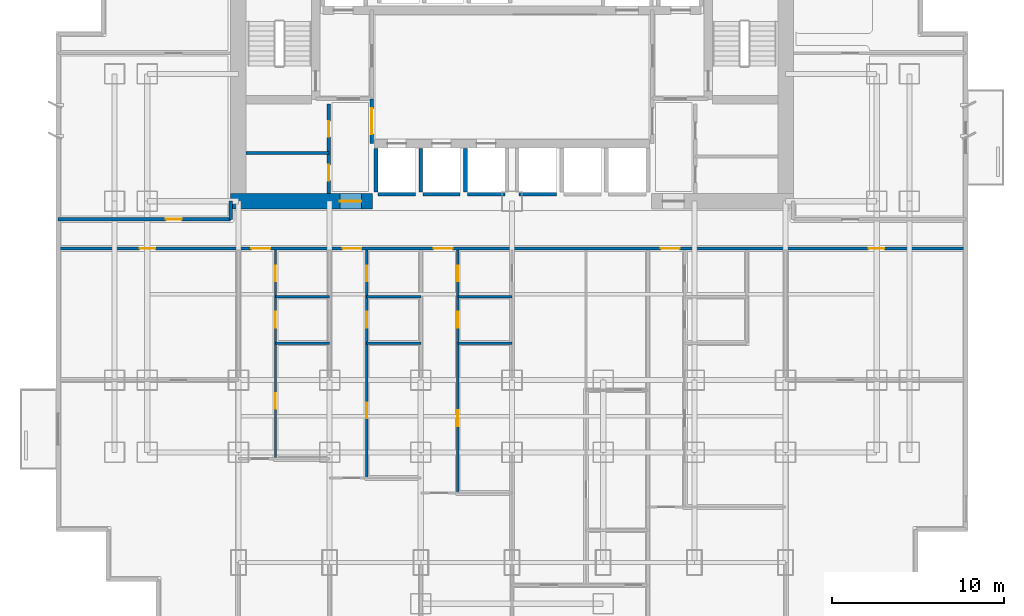
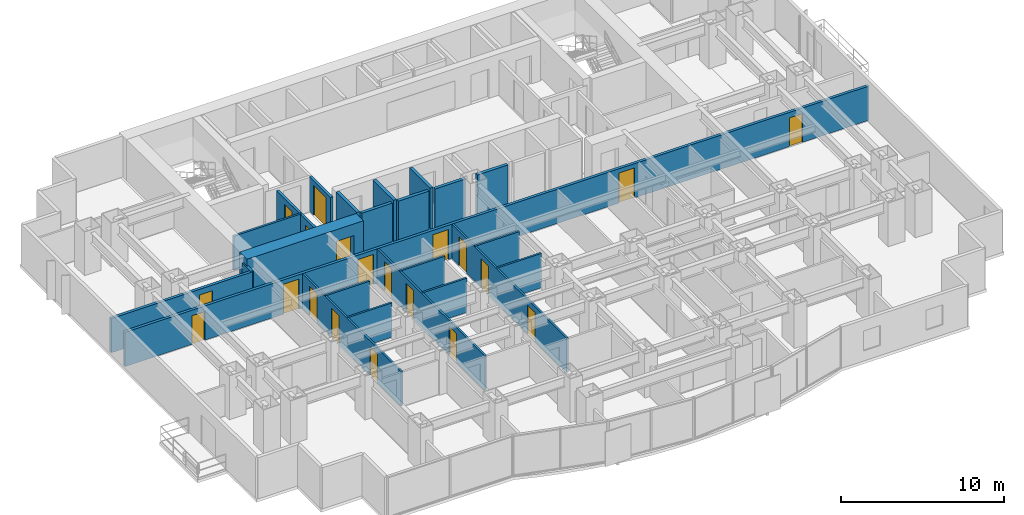
# One storey, part 5 of 10: 23 walls, 20 doors, 20 openings.
"""IFC4 building model written with IfcOpenShell, lengths in metres."""

from ifc_helpers import new_model, si_unit, direction, frame, frame_2d, origin, place, context, subcontext, project, spatial, rectangle, extrude, material, layer, layer_set, type_object, element, fill, save


model = new_model("IFC4")

# Units and contexts
model_context = context("Model", 3, precision=1e-05, world=origin(), true_north=direction((0.0, 1.0)))
body_context = subcontext(model_context, "Body", "Model", "MODEL_VIEW")
ifc_project = project(units=[si_unit("LENGTHUNIT", "METRE"), si_unit("AREAUNIT", "SQUARE_METRE"), si_unit("VOLUMEUNIT", "CUBIC_METRE"), si_unit("PLANEANGLEUNIT", "RADIAN"), si_unit("MASSUNIT", "GRAM", prefix="KILO")], contexts=[model_context])

# Site, building, storey
site_placement = place(None, origin())
site = spatial("IfcSite", under=ifc_project, at=site_placement, CompositionType="ELEMENT")
building_placement = place(site_placement, origin())
building = spatial("IfcBuilding", under=site, at=building_placement, Name="Qianlan Lanfeng Residences", CompositionType="ELEMENT")
storey_placement = place(building_placement, frame((0.0, 0.0, 37.39990234375)))
storey = spatial("IfcBuildingStorey", under=building, at=storey_placement, Name="L09", CompositionType="ELEMENT", Elevation=37.39990234375)

# Wall, opening, door
ifc_material_1 = material(Name="Concrete C70", Category="concrete")
ifc_layer_1 = layer(ifc_material_1, 0.89990234375)
ifc_layer_set_1 = layer_set([ifc_layer_1], Name="Concrete C70")
wall_type_1 = type_object("IfcWallType", Name="CW-RC-900", PredefinedType="SHEAR", material=ifc_layer_set_1)
wall_1_placement = place(storey_placement, frame((10.14990234375, 25.199951171875, 0.0), z_axis=(0.0, 0.0, 1.0), x_axis=(1.0, 0.0, 0.0)))
wall_1 = element("IfcWall", 1, at=wall_1_placement, inside=storey, type_object=wall_type_1, Name="L09 Core Shear Wall SW", PredefinedType="SHEAR", context=body_context, shape_type="SweptSolid", body=[
    extrude(rectangle(XDim=8.25, YDim=0.89990234375, at=frame_2d((4.125, 0.0))), origin(), (0.0, 0.0, 1.0), 3.080078125),
])
opening_1_placement = place(wall_1_placement, frame((6.35009765625, 0.0, 0.0)))
opening_1 = element("IfcOpeningElement", 2, at=opening_1_placement, cuts=wall_1, Name="Opening L09-D01", PredefinedType="OPENING", context=body_context, shape_type="SweptSolid", body=[
    extrude(rectangle(XDim=1.25, YDim=2.199951171875, at=frame_2d((0.625, 1.10009765625))), frame((0.0, 0.4599609375, 0.0), z_axis=(0.0, -1.0, 0.0), x_axis=(1.0, 0.0, 0.0)), (0.0, 0.0, 1.0), 0.919921875),
])
ifc_material_2 = material(Name="Painted Galvanised Steel Fire Door", Category="steel")
door_type_1 = type_object("IfcDoorType", Name="DT-FFL", OperationType="NOTDEFINED", PredefinedType="DOOR", material=ifc_material_2)
door_1_placement = place(opening_1_placement, frame((1.25, 0.0, 0.0), z_axis=(0.0, 0.0, 1.0), x_axis=(-1.0, 0.0, 0.0)))
door_1 = element("IfcDoor", 3, at=door_1_placement, inside=storey, type_object=door_type_1, Name="L09 West Core Lobby Smoke Door L09-D01 (DT-FFL)", OperationType="SINGLE_SWING_RIGHT", OverallHeight=2.199951171875, OverallWidth=1.25, PredefinedType="DOOR", context=body_context, shape_type="SweptSolid", body=[
    extrude(rectangle(XDim=1.25, YDim=2.199951171875, at=frame_2d((0.625, 1.10009765625))), frame((0.0, 0.02490234375, 0.0), z_axis=(0.0, -1.0, 0.0), x_axis=(1.0, 0.0, 0.0)), (0.0, 0.0, 1.0), 0.050048828125),
])
fill(opening_1, door_1)

# Wall, openings, doors
ifc_material_3 = material(Name="Moisture-Resistant Gypsum Partition 135 mm")
ifc_layer_2 = layer(ifc_material_3, 0.135009765625)
ifc_layer_set_2 = layer_set([ifc_layer_2], Name="Moisture-Resistant Gypsum Partition 135 mm")
wall_type_2 = type_object("IfcWallType", Name="PW-135", PredefinedType="PARTITIONING", material=ifc_layer_set_2)
wall_2_placement = place(storey_placement, frame((12.75, 10.219970703125, 0.0), z_axis=(0.0, 0.0, 1.0), x_axis=(0.0, 1.0, 0.0)))
wall_2 = element("IfcWall", 4, at=wall_2_placement, inside=storey, type_object=wall_type_2, Name="L09 U01 Entry Hall Spine", PredefinedType="PARTITIONING", context=body_context, shape_type="SweptSolid", body=[
    extrude(rectangle(XDim=12.130126953125, YDim=0.135009765625, at=frame_2d((6.06494140625, 0.0))), origin(), (0.0, 0.0, 1.0), 2.570068359375),
])
opening_2_placement = place(wall_2_placement, frame((2.905029296875, 0.0, 0.0)))
opening_2 = element("IfcOpeningElement", 5, at=opening_2_placement, cuts=wall_2, Name="Opening L09-D17", PredefinedType="OPENING", context=body_context, shape_type="SweptSolid", body=[
    extrude(rectangle(XDim=0.919921875, YDim=2.14990234375, at=frame_2d((0.4599609375, 1.074951171875))), frame((0.0, 0.07763671875, 0.0), z_axis=(0.0, -1.0, 0.0), x_axis=(1.0, 0.0, 0.0)), (0.0, 0.0, 1.0), 0.155029296875),
])
opening_3_placement = place(wall_2_placement, frame((7.6201171875, 0.0, 0.0)))
opening_3 = element("IfcOpeningElement", 6, at=opening_3_placement, cuts=wall_2, Name="Opening L09-D18", PredefinedType="OPENING", context=body_context, shape_type="SweptSolid", body=[
    extrude(rectangle(XDim=0.919921875, YDim=2.14990234375, at=frame_2d((0.4599609375, 1.074951171875))), frame((0.0, 0.07763671875, 0.0), z_axis=(0.0, -1.0, 0.0), x_axis=(1.0, 0.0, 0.0)), (0.0, 0.0, 1.0), 0.155029296875),
])
opening_4_placement = place(wall_2_placement, frame((10.330078125, 0.0, 0.0)))
opening_4 = element("IfcOpeningElement", 7, at=opening_4_placement, cuts=wall_2, Name="Opening L09-D19", PredefinedType="OPENING", context=body_context, shape_type="SweptSolid", body=[
    extrude(rectangle(XDim=0.89990234375, YDim=2.14990234375, at=frame_2d((0.449951171875, 1.074951171875))), frame((0.0, 0.07763671875, 0.0), z_axis=(0.0, -1.0, 0.0), x_axis=(1.0, 0.0, 0.0)), (0.0, 0.0, 1.0), 0.155029296875),
])
ifc_material_4 = material(Name="Glazed Timber Kitchen/Study Door", Category="wood")
door_type_2 = type_object("IfcDoorType", Name="DT-INT", OperationType="NOTDEFINED", PredefinedType="DOOR", material=ifc_material_4)
door_2_placement = place(opening_2_placement, origin())
door_2 = element("IfcDoor", 8, at=door_2_placement, inside=storey, type_object=door_type_2, Name="L09 U01 Study Door L09-D17 (DT-INT)", OperationType="SINGLE_SWING_LEFT", OverallHeight=2.14990234375, OverallWidth=0.919921875, PredefinedType="DOOR", context=body_context, shape_type="SweptSolid", body=[
    extrude(rectangle(XDim=0.919921875, YDim=2.14990234375, at=frame_2d((0.4599609375, 1.074951171875))), frame((0.0, 0.02490234375, 0.0), z_axis=(0.0, -1.0, 0.0), x_axis=(1.0, 0.0, 0.0)), (0.0, 0.0, 1.0), 0.050048828125),
])
fill(opening_2, door_2)
door_3_placement = place(opening_3_placement, origin())
door_3 = element("IfcDoor", 9, at=door_3_placement, inside=storey, type_object=door_type_2, Name="L09 U01 Kitchen Door L09-D18 (DT-INT)", OperationType="SINGLE_SWING_RIGHT", OverallHeight=2.14990234375, OverallWidth=0.919921875, PredefinedType="DOOR", context=body_context, shape_type="SweptSolid", body=[
    extrude(rectangle(XDim=0.919921875, YDim=2.14990234375, at=frame_2d((0.4599609375, 1.074951171875))), frame((0.0, 0.02490234375, 0.0), z_axis=(0.0, -1.0, 0.0), x_axis=(1.0, 0.0, 0.0)), (0.0, 0.0, 1.0), 0.050048828125),
])
fill(opening_3, door_3)
ifc_material_5 = material(Name="Moisture-Resistant Timber Leaf", Category="wood")
door_type_3 = type_object("IfcDoorType", Name="DT-WC", OperationType="NOTDEFINED", PredefinedType="DOOR", material=ifc_material_5)
door_4_placement = place(opening_4_placement, origin())
door_4 = element("IfcDoor", 10, at=door_4_placement, inside=storey, type_object=door_type_3, Name="L09 U01 Bathroom Door L09-D19 (DT-WC)", OperationType="SINGLE_SWING_LEFT", OverallHeight=2.14990234375, OverallWidth=0.89990234375, PredefinedType="DOOR", context=body_context, shape_type="SweptSolid", body=[
    extrude(rectangle(XDim=0.89990234375, YDim=2.14990234375, at=frame_2d((0.449951171875, 1.074951171875))), frame((0.0, 0.02490234375, 0.0), z_axis=(0.0, -1.0, 0.0), x_axis=(1.0, 0.0, 0.0)), (0.0, 0.0, 1.0), 0.050048828125),
])
fill(opening_4, door_4)

# Walls
for number, where, z_axis, x_axis, name in (
    (11, (12.75, 16.949951171875, 0.0), (0.0, 0.0, 1.0), (1.0, 0.0, 0.0), "L09 U01 Kitchen South Wall"),
    (12, (12.75, 19.64990234375, 0.0), (0.0, 0.0, 1.0), (1.0, 0.0, 0.0), "L09 U01 Bathroom South Wall"),
):
    element("IfcWall", number, at=place(storey_placement, frame(where, z_axis=z_axis, x_axis=x_axis)), inside=storey, type_object=wall_type_2, Name=name, PredefinedType="PARTITIONING", context=body_context, shape_type="SweptSolid", body=[
        extrude(rectangle(XDim=3.14990234375, YDim=0.135009765625, at=frame_2d((1.574951171875, 0.0))), origin(), (0.0, 0.0, 1.0), 2.570068359375),
    ])

# Wall, openings, doors
wall_3_placement = place(storey_placement, frame((18.050048828125, 9.112060546875, 0.0), z_axis=(0.0, 0.0, 1.0), x_axis=(0.0, 1.0, 0.0)))
wall_3 = element("IfcWall", 13, at=wall_3_placement, inside=storey, type_object=wall_type_2, Name="L09 U02 Entry Hall Spine", PredefinedType="PARTITIONING", context=body_context, shape_type="SweptSolid", body=[
    extrude(rectangle(XDim=13.238037109375, YDim=0.135009765625, at=frame_2d((6.619140625, 0.0))), origin(), (0.0, 0.0, 1.0), 2.570068359375),
])
opening_5_placement = place(wall_3_placement, frame((3.458984375, 0.0, 0.0)))
opening_5 = element("IfcOpeningElement", 14, at=opening_5_placement, cuts=wall_3, Name="Opening L09-D22", PredefinedType="OPENING", context=body_context, shape_type="SweptSolid", body=[
    extrude(rectangle(XDim=0.919921875, YDim=2.14990234375, at=frame_2d((0.4599609375, 1.074951171875))), frame((0.0, 0.07763671875, 0.0), z_axis=(0.0, -1.0, 0.0), x_axis=(1.0, 0.0, 0.0)), (0.0, 0.0, 1.0), 0.155029296875),
])
opening_6_placement = place(wall_3_placement, frame((8.72802734375, 0.0, 0.0)))
opening_6 = element("IfcOpeningElement", 15, at=opening_6_placement, cuts=wall_3, Name="Opening L09-D23", PredefinedType="OPENING", context=body_context, shape_type="SweptSolid", body=[
    extrude(rectangle(XDim=0.919921875, YDim=2.14990234375, at=frame_2d((0.4599609375, 1.074951171875))), frame((0.0, 0.07763671875, 0.0), z_axis=(0.0, -1.0, 0.0), x_axis=(1.0, 0.0, 0.0)), (0.0, 0.0, 1.0), 0.155029296875),
])
opening_7_placement = place(wall_3_placement, frame((11.43798828125, 0.0, 0.0)))
opening_7 = element("IfcOpeningElement", 16, at=opening_7_placement, cuts=wall_3, Name="Opening L09-D24", PredefinedType="OPENING", context=body_context, shape_type="SweptSolid", body=[
    extrude(rectangle(XDim=0.89990234375, YDim=2.14990234375, at=frame_2d((0.449951171875, 1.074951171875))), frame((0.0, 0.07763671875, 0.0), z_axis=(0.0, -1.0, 0.0), x_axis=(1.0, 0.0, 0.0)), (0.0, 0.0, 1.0), 0.155029296875),
])
door_5_placement = place(opening_5_placement, origin())
door_5 = element("IfcDoor", 17, at=door_5_placement, inside=storey, type_object=door_type_2, Name="L09 U02 Study Door L09-D22 (DT-INT)", OperationType="SINGLE_SWING_RIGHT", OverallHeight=2.14990234375, OverallWidth=0.919921875, PredefinedType="DOOR", context=body_context, shape_type="SweptSolid", body=[
    extrude(rectangle(XDim=0.919921875, YDim=2.14990234375, at=frame_2d((0.4599609375, 1.074951171875))), frame((0.0, 0.02490234375, 0.0), z_axis=(0.0, -1.0, 0.0), x_axis=(1.0, 0.0, 0.0)), (0.0, 0.0, 1.0), 0.050048828125),
])
fill(opening_5, door_5)
door_6_placement = place(opening_6_placement, origin())
door_6 = element("IfcDoor", 18, at=door_6_placement, inside=storey, type_object=door_type_2, Name="L09 U02 Kitchen Door L09-D23 (DT-INT)", OperationType="SINGLE_SWING_LEFT", OverallHeight=2.14990234375, OverallWidth=0.919921875, PredefinedType="DOOR", context=body_context, shape_type="SweptSolid", body=[
    extrude(rectangle(XDim=0.919921875, YDim=2.14990234375, at=frame_2d((0.4599609375, 1.074951171875))), frame((0.0, 0.02490234375, 0.0), z_axis=(0.0, -1.0, 0.0), x_axis=(1.0, 0.0, 0.0)), (0.0, 0.0, 1.0), 0.050048828125),
])
fill(opening_6, door_6)
door_7_placement = place(opening_7_placement, origin())
door_7 = element("IfcDoor", 19, at=door_7_placement, inside=storey, type_object=door_type_3, Name="L09 U02 Bathroom Door L09-D24 (DT-WC)", OperationType="SINGLE_SWING_RIGHT", OverallHeight=2.14990234375, OverallWidth=0.89990234375, PredefinedType="DOOR", context=body_context, shape_type="SweptSolid", body=[
    extrude(rectangle(XDim=0.89990234375, YDim=2.14990234375, at=frame_2d((0.449951171875, 1.074951171875))), frame((0.0, 0.02490234375, 0.0), z_axis=(0.0, -1.0, 0.0), x_axis=(1.0, 0.0, 0.0)), (0.0, 0.0, 1.0), 0.050048828125),
])
fill(opening_7, door_7)

# Walls
for number, where, z_axis, x_axis, name in (
    (20, (18.050048828125, 16.949951171875, 0.0), (0.0, 0.0, 1.0), (1.0, 0.0, 0.0), "L09 U02 Kitchen South Wall"),
    (21, (18.050048828125, 19.64990234375, 0.0), (0.0, 0.0, 1.0), (1.0, 0.0, 0.0), "L09 U02 Bathroom South Wall"),
):
    element("IfcWall", number, at=place(storey_placement, frame(where, z_axis=z_axis, x_axis=x_axis)), inside=storey, type_object=wall_type_2, Name=name, PredefinedType="PARTITIONING", context=body_context, shape_type="SweptSolid", body=[
        extrude(rectangle(XDim=3.14990234375, YDim=0.135009765625, at=frame_2d((1.574951171875, 0.0))), origin(), (0.0, 0.0, 1.0), 2.570068359375),
    ])

# Wall, openings, doors
wall_4_placement = place(storey_placement, frame((23.35009765625, 8.23388671875, 0.0), z_axis=(0.0, 0.0, 1.0), x_axis=(0.0, 1.0, 0.0)))
wall_4 = element("IfcWall", 22, at=wall_4_placement, inside=storey, type_object=wall_type_2, Name="L09 U03 Entry Hall Spine", PredefinedType="PARTITIONING", context=body_context, shape_type="SweptSolid", body=[
    extrude(rectangle(XDim=14.1162109375, YDim=0.135009765625, at=frame_2d((7.05810546875, 0.0))), origin(), (0.0, 0.0, 1.0), 2.570068359375),
])
opening_8_placement = place(wall_4_placement, frame((3.89794921875, 0.0, 0.0)))
opening_8 = element("IfcOpeningElement", 23, at=opening_8_placement, cuts=wall_4, Name="Opening L09-D28", PredefinedType="OPENING", context=body_context, shape_type="SweptSolid", body=[
    extrude(rectangle(XDim=0.919921875, YDim=2.14990234375, at=frame_2d((0.4599609375, 1.074951171875))), frame((0.0, 0.07763671875, 0.0), z_axis=(0.0, -1.0, 0.0), x_axis=(1.0, 0.0, 0.0)), (0.0, 0.0, 1.0), 0.155029296875),
])
opening_9_placement = place(wall_4_placement, frame((9.60595703125, 0.0, 0.0)))
opening_9 = element("IfcOpeningElement", 24, at=opening_9_placement, cuts=wall_4, Name="Opening L09-D29", PredefinedType="OPENING", context=body_context, shape_type="SweptSolid", body=[
    extrude(rectangle(XDim=0.919921875, YDim=2.14990234375, at=frame_2d((0.4599609375, 1.074951171875))), frame((0.0, 0.07763671875, 0.0), z_axis=(0.0, -1.0, 0.0), x_axis=(1.0, 0.0, 0.0)), (0.0, 0.0, 1.0), 0.155029296875),
])
opening_10_placement = place(wall_4_placement, frame((12.31591796875, 0.0, 0.0)))
opening_10 = element("IfcOpeningElement", 25, at=opening_10_placement, cuts=wall_4, Name="Opening L09-D30", PredefinedType="OPENING", context=body_context, shape_type="SweptSolid", body=[
    extrude(rectangle(XDim=0.89990234375, YDim=2.14990234375, at=frame_2d((0.449951171875, 1.074951171875))), frame((0.0, 0.07763671875, 0.0), z_axis=(0.0, -1.0, 0.0), x_axis=(1.0, 0.0, 0.0)), (0.0, 0.0, 1.0), 0.155029296875),
])
door_8_placement = place(opening_8_placement, origin())
door_8 = element("IfcDoor", 26, at=door_8_placement, inside=storey, type_object=door_type_2, Name="L09 U03 Study Door L09-D28 (DT-INT)", OperationType="SINGLE_SWING_RIGHT", OverallHeight=2.14990234375, OverallWidth=0.919921875, PredefinedType="DOOR", context=body_context, shape_type="SweptSolid", body=[
    extrude(rectangle(XDim=0.919921875, YDim=2.14990234375, at=frame_2d((0.4599609375, 1.074951171875))), frame((0.0, 0.02490234375, 0.0), z_axis=(0.0, -1.0, 0.0), x_axis=(1.0, 0.0, 0.0)), (0.0, 0.0, 1.0), 0.050048828125),
])
fill(opening_8, door_8)
door_9_placement = place(opening_9_placement, origin())
door_9 = element("IfcDoor", 27, at=door_9_placement, inside=storey, type_object=door_type_2, Name="L09 U03 Kitchen Door L09-D29 (DT-INT)", OperationType="SINGLE_SWING_LEFT", OverallHeight=2.14990234375, OverallWidth=0.919921875, PredefinedType="DOOR", context=body_context, shape_type="SweptSolid", body=[
    extrude(rectangle(XDim=0.919921875, YDim=2.14990234375, at=frame_2d((0.4599609375, 1.074951171875))), frame((0.0, 0.02490234375, 0.0), z_axis=(0.0, -1.0, 0.0), x_axis=(1.0, 0.0, 0.0)), (0.0, 0.0, 1.0), 0.050048828125),
])
fill(opening_9, door_9)
door_10_placement = place(opening_10_placement, origin())
door_10 = element("IfcDoor", 28, at=door_10_placement, inside=storey, type_object=door_type_3, Name="L09 U03 Bathroom Door L09-D30 (DT-WC)", OperationType="SINGLE_SWING_RIGHT", OverallHeight=2.14990234375, OverallWidth=0.89990234375, PredefinedType="DOOR", context=body_context, shape_type="SweptSolid", body=[
    extrude(rectangle(XDim=0.89990234375, YDim=2.14990234375, at=frame_2d((0.449951171875, 1.074951171875))), frame((0.0, 0.02490234375, 0.0), z_axis=(0.0, -1.0, 0.0), x_axis=(1.0, 0.0, 0.0)), (0.0, 0.0, 1.0), 0.050048828125),
])
fill(opening_10, door_10)

# Walls
for number, where, z_axis, x_axis, name in (
    (29, (23.35009765625, 16.949951171875, 0.0), (0.0, 0.0, 1.0), (1.0, 0.0, 0.0), "L09 U03 Kitchen South Wall"),
    (30, (23.35009765625, 19.64990234375, 0.0), (0.0, 0.0, 1.0), (1.0, 0.0, 0.0), "L09 U03 Bathroom South Wall"),
):
    element("IfcWall", number, at=place(storey_placement, frame(where, z_axis=z_axis, x_axis=x_axis)), inside=storey, type_object=wall_type_2, Name=name, PredefinedType="PARTITIONING", context=body_context, shape_type="SweptSolid", body=[
        extrude(rectangle(XDim=3.14990234375, YDim=0.135009765625, at=frame_2d((1.574951171875, 0.0))), origin(), (0.0, 0.0, 1.0), 2.570068359375),
    ])
ifc_material_6 = material(Name="Acoustic Drywall Partition 150 mm")
ifc_layer_3 = layer(ifc_material_6, 0.14990234375)
ifc_layer_set_3 = layer_set([ifc_layer_3], Name="Acoustic Drywall Partition 150 mm")
wall_type_3 = type_object("IfcWallType", Name="PW-150", PredefinedType="PARTITIONING", material=ifc_layer_set_3)
wall_5_placement = place(storey_placement, frame((11.050048828125, 28.0, 0.0), z_axis=(0.0, 0.0, 1.0), x_axis=(1.0, 0.0, 0.0)))
element("IfcWall", 31, at=wall_5_placement, inside=storey, type_object=wall_type_3, Name="L09 Core West Split", PredefinedType="PARTITIONING", context=body_context, shape_type="SweptSolid", body=[
    extrude(rectangle(XDim=4.800048828125, YDim=0.14990234375, at=frame_2d((2.39990234375, 0.0))), origin(), (0.0, 0.0, 1.0), 2.570068359375),
])

# Wall, openings, doors
ifc_material_7 = material(Name="Double-Layer Acoustic Gypsum Stud Wall 180 mm")
ifc_layer_4 = layer(ifc_material_7, 0.179931640625)
ifc_layer_set_4 = layer_set([ifc_layer_4], Name="Double-Layer Acoustic Gypsum Stud Wall 180 mm")
wall_type_4 = type_object("IfcWallType", Name="PW-180", PredefinedType="PARTITIONING", material=ifc_layer_set_4)
wall_6_placement = place(storey_placement, frame((15.85009765625, 25.64990234375, 0.0), z_axis=(0.0, 0.0, 1.0), x_axis=(0.0, 1.0, 0.0)))
wall_6 = element("IfcWall", 32, at=wall_6_placement, inside=storey, type_object=wall_type_4, Name="L09 Core West Service Room Wall", PredefinedType="PARTITIONING", context=body_context, shape_type="SweptSolid", body=[
    extrude(rectangle(XDim=5.2001953125, YDim=0.179931640625, at=frame_2d((2.60009765625, 0.0))), origin(), (0.0, 0.0, 1.0), 2.570068359375),
])
opening_11_placement = place(wall_6_placement, frame((0.739990234375, 0.0, 0.0)))
opening_11 = element("IfcOpeningElement", 33, at=opening_11_placement, cuts=wall_6, Name="Opening L09-D09", PredefinedType="OPENING", context=body_context, shape_type="SweptSolid", body=[
    extrude(rectangle(XDim=0.919921875, YDim=2.14990234375, at=frame_2d((0.4599609375, 1.074951171875))), frame((0.0, 0.10009765625, 0.0), z_axis=(0.0, -1.0, 0.0), x_axis=(1.0, 0.0, 0.0)), (0.0, 0.0, 1.0), 0.199951171875),
])
opening_12_placement = place(wall_6_placement, frame((3.2900390625, 0.0, 0.0)))
opening_12 = element("IfcOpeningElement", 34, at=opening_12_placement, cuts=wall_6, Name="Opening L09-D10", PredefinedType="OPENING", context=body_context, shape_type="SweptSolid", body=[
    extrude(rectangle(XDim=0.919921875, YDim=2.14990234375, at=frame_2d((0.4599609375, 1.074951171875))), frame((0.0, 0.10009765625, 0.0), z_axis=(0.0, -1.0, 0.0), x_axis=(1.0, 0.0, 0.0)), (0.0, 0.0, 1.0), 0.199951171875),
])
door_11_placement = place(opening_11_placement, origin())
door_11 = element("IfcDoor", 35, at=door_11_placement, inside=storey, type_object=door_type_2, Name="L09 Parcel Room Door L09-D09 (DT-INT)", OperationType="SINGLE_SWING_LEFT", OverallHeight=2.14990234375, OverallWidth=0.919921875, PredefinedType="DOOR", context=body_context, shape_type="SweptSolid", body=[
    extrude(rectangle(XDim=0.919921875, YDim=2.14990234375, at=frame_2d((0.4599609375, 1.074951171875))), frame((0.0, 0.02490234375, 0.0), z_axis=(0.0, -1.0, 0.0), x_axis=(1.0, 0.0, 0.0)), (0.0, 0.0, 1.0), 0.050048828125),
])
fill(opening_11, door_11)
door_12_placement = place(opening_12_placement, origin())
door_12 = element("IfcDoor", 36, at=door_12_placement, inside=storey, type_object=door_type_2, Name="L09 Janitor Closet Door L09-D10 (DT-INT)", OperationType="SINGLE_SWING_RIGHT", OverallHeight=2.14990234375, OverallWidth=0.919921875, PredefinedType="DOOR", context=body_context, shape_type="SweptSolid", body=[
    extrude(rectangle(XDim=0.919921875, YDim=2.14990234375, at=frame_2d((0.4599609375, 1.074951171875))), frame((0.0, 0.02490234375, 0.0), z_axis=(0.0, -1.0, 0.0), x_axis=(1.0, 0.0, 0.0)), (0.0, 0.0, 1.0), 0.050048828125),
])
fill(opening_12, door_12)

# Wall, opening, door
ifc_material_8 = material(Name="Autoclaved Aerated Concrete Blockwork 200 mm", Category="masonry")
ifc_layer_5 = layer(ifc_material_8, 0.199951171875)
ifc_layer_set_5 = layer_set([ifc_layer_5], Name="Autoclaved Aerated Concrete Blockwork 200 mm")
wall_type_5 = type_object("IfcWallType", Name="PW-200", PredefinedType="PARTITIONING", material=ifc_layer_set_5)
wall_7_placement = place(storey_placement, frame((18.35009765625, 28.550048828125, 0.0), z_axis=(0.0, 0.0, 1.0), x_axis=(0.0, 1.0, 0.0)))
wall_7 = element("IfcWall", 37, at=wall_7_placement, inside=storey, type_object=wall_type_5, Name="L09 Lift Lobby West Connector Wall", PredefinedType="PARTITIONING", context=body_context, shape_type="SweptSolid", body=[
    extrude(rectangle(XDim=2.599853515625, YDim=0.199951171875, at=frame_2d((1.2998046875, 0.0))), origin(), (0.0, 0.0, 1.0), 2.570068359375),
])
opening_13_placement = place(wall_7_placement, frame((0.550048828125, 0.0, 0.0)))
opening_13 = element("IfcOpeningElement", 38, at=opening_13_placement, cuts=wall_7, Name="Opening L09-D13", PredefinedType="OPENING", context=body_context, shape_type="SweptSolid", body=[
    extrude(rectangle(XDim=1.5, YDim=2.25, at=frame_2d((0.75, 1.125))), frame((0.0, 0.10986328125, 0.0), z_axis=(0.0, -1.0, 0.0), x_axis=(1.0, 0.0, 0.0)), (0.0, 0.0, 1.0), 0.219970703125),
])
ifc_material_9 = material(Name="Timber Veneer Acoustic Fire Door", Category="wood")
door_type_4 = type_object("IfcDoorType", Name="DT-COR1", OperationType="NOTDEFINED", PredefinedType="DOOR", material=ifc_material_9)
door_13_placement = place(opening_13_placement, origin())
door_13 = element("IfcDoor", 39, at=door_13_placement, inside=storey, type_object=door_type_4, Name="L09 Lift Lobby West Portal Door L09-D13 (DT-COR1)", OperationType="DOUBLE_DOOR_SINGLE_SWING", OverallHeight=2.25, OverallWidth=1.5, PredefinedType="DOOR", context=body_context, shape_type="SweptSolid", body=[
    extrude(rectangle(XDim=1.5, YDim=2.25, at=frame_2d((0.75, 1.125))), frame((0.0, 0.02490234375, 0.0), z_axis=(0.0, -1.0, 0.0), x_axis=(1.0, 0.0, 0.0)), (0.0, 0.0, 1.0), 0.050048828125),
])
fill(opening_13, door_13)

# Wall, openings, doors
wall_8_placement = place(storey_placement, frame((0.1201171875, 22.449951171875, 0.0), z_axis=(0.0, 0.0, 1.0), x_axis=(1.0, 0.0, 0.0)))
wall_8 = element("IfcWall", 40, at=wall_8_placement, inside=storey, type_object=wall_type_5, Name="L09 Residential Corridor South Fire Wall", PredefinedType="PARTITIONING", context=body_context, shape_type="SweptSolid", body=[
    extrude(rectangle(XDim=52.759765625, YDim=0.199951171875, at=frame_2d((26.3798828125, 0.0))), origin(), (0.0, 0.0, 1.0), 2.570068359375),
])
opening_14_placement = place(wall_8_placement, frame((11.22998046875, 0.0, 0.0)))
opening_14 = element("IfcOpeningElement", 41, at=opening_14_placement, cuts=wall_8, Name="Opening L09-D15", PredefinedType="OPENING", context=body_context, shape_type="SweptSolid", body=[
    extrude(rectangle(XDim=1.10009765625, YDim=2.25, at=frame_2d((0.550048828125, 1.125))), frame((0.0, 0.10986328125, 0.0), z_axis=(0.0, -1.0, 0.0), x_axis=(1.0, 0.0, 0.0)), (0.0, 0.0, 1.0), 0.219970703125),
])
opening_15_placement = place(wall_8_placement, frame((16.530029296875, 0.0, 0.0)))
opening_15 = element("IfcOpeningElement", 42, at=opening_15_placement, cuts=wall_8, Name="Opening L09-D20", PredefinedType="OPENING", context=body_context, shape_type="SweptSolid", body=[
    extrude(rectangle(XDim=1.10009765625, YDim=2.25, at=frame_2d((0.550048828125, 1.125))), frame((0.0, 0.10986328125, 0.0), z_axis=(0.0, -1.0, 0.0), x_axis=(1.0, 0.0, 0.0)), (0.0, 0.0, 1.0), 0.219970703125),
])
opening_16_placement = place(wall_8_placement, frame((21.830078125, 0.0, 0.0)))
opening_16 = element("IfcOpeningElement", 43, at=opening_16_placement, cuts=wall_8, Name="Opening L09-D25", PredefinedType="OPENING", context=body_context, shape_type="SweptSolid", body=[
    extrude(rectangle(XDim=1.10009765625, YDim=2.25, at=frame_2d((0.550048828125, 1.125))), frame((0.0, 0.10986328125, 0.0), z_axis=(0.0, -1.0, 0.0), x_axis=(1.0, 0.0, 0.0)), (0.0, 0.0, 1.0), 0.219970703125),
])
opening_17_placement = place(wall_8_placement, frame((35.030029296875, 0.0, 0.0)))
opening_17 = element("IfcOpeningElement", 44, at=opening_17_placement, cuts=wall_8, Name="Opening L09-D35", PredefinedType="OPENING", context=body_context, shape_type="SweptSolid", body=[
    extrude(rectangle(XDim=1.10009765625, YDim=2.25, at=frame_2d((0.550048828125, 1.125))), frame((0.0, 0.10986328125, 0.0), z_axis=(0.0, -1.0, 0.0), x_axis=(1.0, 0.0, 0.0)), (0.0, 0.0, 1.0), 0.219970703125),
])
opening_18_placement = place(wall_8_placement, frame((4.735107421875, 0.0, 0.0)))
opening_18 = element("IfcOpeningElement", 45, at=opening_18_placement, cuts=wall_8, Name="Opening L09-D41", PredefinedType="OPENING", context=body_context, shape_type="SweptSolid", body=[
    extrude(rectangle(XDim=0.919921875, YDim=2.14990234375, at=frame_2d((0.4599609375, 1.074951171875))), frame((0.0, 0.10986328125, 0.0), z_axis=(0.0, -1.0, 0.0), x_axis=(1.0, 0.0, 0.0)), (0.0, 0.0, 1.0), 0.219970703125),
])
opening_19_placement = place(wall_8_placement, frame((47.10498046875, 0.0, 0.0)))
opening_19 = element("IfcOpeningElement", 46, at=opening_19_placement, cuts=wall_8, Name="Opening L09-D43", PredefinedType="OPENING", context=body_context, shape_type="SweptSolid", body=[
    extrude(rectangle(XDim=0.919921875, YDim=2.14990234375, at=frame_2d((0.4599609375, 1.074951171875))), frame((0.0, 0.10986328125, 0.0), z_axis=(0.0, -1.0, 0.0), x_axis=(1.0, 0.0, 0.0)), (0.0, 0.0, 1.0), 0.219970703125),
])
door_14_placement = place(opening_18_placement, origin())
door_14 = element("IfcDoor", 47, at=door_14_placement, inside=storey, type_object=door_type_2, Name="L09 SWP Corridor Door L09-D41 (DT-INT)", OperationType="SINGLE_SWING_LEFT", OverallHeight=2.14990234375, OverallWidth=0.919921875, PredefinedType="DOOR", context=body_context, shape_type="SweptSolid", body=[
    extrude(rectangle(XDim=0.919921875, YDim=2.14990234375, at=frame_2d((0.4599609375, 1.074951171875))), frame((0.0, 0.02490234375, 0.0), z_axis=(0.0, -1.0, 0.0), x_axis=(1.0, 0.0, 0.0)), (0.0, 0.0, 1.0), 0.050048828125),
])
fill(opening_18, door_14)
door_15_placement = place(opening_19_placement, origin())
door_15 = element("IfcDoor", 48, at=door_15_placement, inside=storey, type_object=door_type_2, Name="L09 SEP Corridor Door L09-D43 (DT-INT)", OperationType="SINGLE_SWING_LEFT", OverallHeight=2.14990234375, OverallWidth=0.919921875, PredefinedType="DOOR", context=body_context, shape_type="SweptSolid", body=[
    extrude(rectangle(XDim=0.919921875, YDim=2.14990234375, at=frame_2d((0.4599609375, 1.074951171875))), frame((0.0, 0.02490234375, 0.0), z_axis=(0.0, -1.0, 0.0), x_axis=(1.0, 0.0, 0.0)), (0.0, 0.0, 1.0), 0.050048828125),
])
fill(opening_19, door_15)
ifc_material_10 = material(Name="Solid-Core Oak Veneer Fire Door")
door_type_5 = type_object("IfcDoorType", Name="DT-UNIT", OperationType="NOTDEFINED", PredefinedType="DOOR", material=ifc_material_10)
door_16_placement = place(opening_14_placement, origin())
door_16 = element("IfcDoor", 49, at=door_16_placement, inside=storey, type_object=door_type_5, Name="L09 Apartment U01 Entrance Door L09-D15 (DT-UNIT)", OperationType="SINGLE_SWING_RIGHT", OverallHeight=2.25, OverallWidth=1.10009765625, PredefinedType="DOOR", context=body_context, shape_type="SweptSolid", body=[
    extrude(rectangle(XDim=1.10009765625, YDim=2.25, at=frame_2d((0.550048828125, 1.125))), frame((0.0, 0.02490234375, 0.0), z_axis=(0.0, -1.0, 0.0), x_axis=(1.0, 0.0, 0.0)), (0.0, 0.0, 1.0), 0.050048828125),
])
fill(opening_14, door_16)
door_17_placement = place(opening_15_placement, origin())
door_17 = element("IfcDoor", 50, at=door_17_placement, inside=storey, type_object=door_type_5, Name="L09 Apartment U02 Entrance Door L09-D20 (DT-UNIT)", OperationType="SINGLE_SWING_RIGHT", OverallHeight=2.25, OverallWidth=1.10009765625, PredefinedType="DOOR", context=body_context, shape_type="SweptSolid", body=[
    extrude(rectangle(XDim=1.10009765625, YDim=2.25, at=frame_2d((0.550048828125, 1.125))), frame((0.0, 0.02490234375, 0.0), z_axis=(0.0, -1.0, 0.0), x_axis=(1.0, 0.0, 0.0)), (0.0, 0.0, 1.0), 0.050048828125),
])
fill(opening_15, door_17)
door_18_placement = place(opening_16_placement, origin())
door_18 = element("IfcDoor", 51, at=door_18_placement, inside=storey, type_object=door_type_5, Name="L09 Apartment U03 Entrance Door L09-D25 (DT-UNIT)", OperationType="SINGLE_SWING_RIGHT", OverallHeight=2.25, OverallWidth=1.10009765625, PredefinedType="DOOR", context=body_context, shape_type="SweptSolid", body=[
    extrude(rectangle(XDim=1.10009765625, YDim=2.25, at=frame_2d((0.550048828125, 1.125))), frame((0.0, 0.02490234375, 0.0), z_axis=(0.0, -1.0, 0.0), x_axis=(1.0, 0.0, 0.0)), (0.0, 0.0, 1.0), 0.050048828125),
])
fill(opening_16, door_18)
door_19_placement = place(opening_17_placement, origin())
door_19 = element("IfcDoor", 52, at=door_19_placement, inside=storey, type_object=door_type_5, Name="L09 Apartment U04 Entrance Door L09-D35 (DT-UNIT)", OperationType="SINGLE_SWING_RIGHT", OverallHeight=2.25, OverallWidth=1.10009765625, PredefinedType="DOOR", context=body_context, shape_type="SweptSolid", body=[
    extrude(rectangle(XDim=1.10009765625, YDim=2.25, at=frame_2d((0.550048828125, 1.125))), frame((0.0, 0.02490234375, 0.0), z_axis=(0.0, -1.0, 0.0), x_axis=(1.0, 0.0, 0.0)), (0.0, 0.0, 1.0), 0.050048828125),
])
fill(opening_17, door_19)

# Wall, opening, door
wall_9_placement = place(storey_placement, frame((0.1201171875, 24.14990234375, 0.0), z_axis=(0.0, 0.0, 1.0), x_axis=(1.0, 0.0, 0.0)))
wall_9 = element("IfcWall", 53, at=wall_9_placement, inside=storey, type_object=wall_type_5, Name="L09 Corridor NW Wall", PredefinedType="PARTITIONING", context=body_context, shape_type="SweptSolid", body=[
    extrude(rectangle(XDim=10.02978515625, YDim=0.199951171875, at=frame_2d((5.014892578125, 0.0))), origin(), (0.0, 0.0, 1.0), 2.570068359375),
])
opening_20_placement = place(wall_9_placement, frame((6.2548828125, 0.0, 0.0)))
opening_20 = element("IfcOpeningElement", 54, at=opening_20_placement, cuts=wall_9, Name="Opening L09-D45", PredefinedType="OPENING", context=body_context, shape_type="SweptSolid", body=[
    extrude(rectangle(XDim=0.919921875, YDim=2.14990234375, at=frame_2d((0.4599609375, 1.074951171875))), frame((0.0, 0.10986328125, 0.0), z_axis=(0.0, -1.0, 0.0), x_axis=(1.0, 0.0, 0.0)), (0.0, 0.0, 1.0), 0.219970703125),
])
door_20_placement = place(opening_20_placement, origin())
door_20 = element("IfcDoor", 55, at=door_20_placement, inside=storey, type_object=door_type_2, Name="L09 WW Amenity Salon Door L09-D45 (DT-INT)", OperationType="SINGLE_SWING_RIGHT", OverallHeight=2.14990234375, OverallWidth=0.919921875, PredefinedType="DOOR", context=body_context, shape_type="SweptSolid", body=[
    extrude(rectangle(XDim=0.919921875, YDim=2.14990234375, at=frame_2d((0.4599609375, 1.074951171875))), frame((0.0, 0.02490234375, 0.0), z_axis=(0.0, -1.0, 0.0), x_axis=(1.0, 0.0, 0.0)), (0.0, 0.0, 1.0), 0.050048828125),
])
fill(opening_20, door_20)

# Walls
wall_10_placement = place(storey_placement, frame((10.14990234375, 24.14990234375, 0.0), z_axis=(0.0, 0.0, 1.0), x_axis=(0.0, 1.0, 0.0)))
element("IfcWall", 56, at=wall_10_placement, inside=storey, type_object=wall_type_5, Name="L09 NW Wing Core Return Wall", PredefinedType="PARTITIONING", context=body_context, shape_type="SweptSolid", body=[
    extrude(rectangle(XDim=1.050048828125, YDim=0.199951171875, at=frame_2d((0.52490234375, 0.0))), origin(), (0.0, 0.0, 1.0), 2.570068359375),
])
ifc_material_11 = material(Name="Concrete C49", Category="concrete")
ifc_layer_6 = layer(ifc_material_11, 0.219970703125)
ifc_layer_set_6 = layer_set([ifc_layer_6], Name="Concrete C49")
wall_type_6 = type_object("IfcWallType", Name="SHW-220", PredefinedType="SOLIDWALL", material=ifc_layer_set_6)
wall_11_placement = place(storey_placement, frame((18.60009765625, 25.719970703125, 0.0), z_axis=(0.0, 0.0, 1.0), x_axis=(0.0, 1.0, 0.0)))
element("IfcWall", 57, at=wall_11_placement, inside=storey, type_object=wall_type_6, Name="L09 Lift PL-L1 Shaft Wall W", PredefinedType="SOLIDWALL", context=body_context, shape_type="SweptSolid", body=[
    extrude(rectangle(XDim=2.530029296875, YDim=0.219970703125, at=frame_2d((1.26513671875, 0.0))), origin(), (0.0, 0.0, 1.0), 3.080078125),
])
wall_12_placement = place(storey_placement, frame((18.719970703125, 25.60009765625, 0.0), z_axis=(0.0, 0.0, 1.0), x_axis=(1.0, 0.0, 0.0)))
element("IfcWall", 58, at=wall_12_placement, inside=storey, type_object=wall_type_6, Name="L09 Lift PL-L1 Shaft Back Wall S", PredefinedType="SOLIDWALL", context=body_context, shape_type="SweptSolid", body=[
    extrude(rectangle(XDim=2.159912109375, YDim=0.219970703125, at=frame_2d((1.080078125, 0.0))), origin(), (0.0, 0.0, 1.0), 3.080078125),
])
wall_13_placement = place(storey_placement, frame((21.199951171875, 25.719970703125, 0.0), z_axis=(0.0, 0.0, 1.0), x_axis=(0.0, 1.0, 0.0)))
element("IfcWall", 59, at=wall_13_placement, inside=storey, type_object=wall_type_6, Name="L09 Lift PL-L2 Shaft Wall W", PredefinedType="SOLIDWALL", context=body_context, shape_type="SweptSolid", body=[
    extrude(rectangle(XDim=2.530029296875, YDim=0.219970703125, at=frame_2d((1.26513671875, 0.0))), origin(), (0.0, 0.0, 1.0), 3.080078125),
])
wall_14_placement = place(storey_placement, frame((21.320068359375, 25.60009765625, 0.0), z_axis=(0.0, 0.0, 1.0), x_axis=(1.0, 0.0, 0.0)))
element("IfcWall", 60, at=wall_14_placement, inside=storey, type_object=wall_type_6, Name="L09 Lift PL-L2 Shaft Back Wall S", PredefinedType="SOLIDWALL", context=body_context, shape_type="SweptSolid", body=[
    extrude(rectangle(XDim=2.159912109375, YDim=0.219970703125, at=frame_2d((1.080078125, 0.0))), origin(), (0.0, 0.0, 1.0), 3.080078125),
])
wall_15_placement = place(storey_placement, frame((23.800048828125, 25.719970703125, 0.0), z_axis=(0.0, 0.0, 1.0), x_axis=(0.0, 1.0, 0.0)))
element("IfcWall", 61, at=wall_15_placement, inside=storey, type_object=wall_type_6, Name="L09 Lift PL-L3 Shaft Wall W", PredefinedType="SOLIDWALL", context=body_context, shape_type="SweptSolid", body=[
    extrude(rectangle(XDim=2.530029296875, YDim=0.219970703125, at=frame_2d((1.26513671875, 0.0))), origin(), (0.0, 0.0, 1.0), 3.080078125),
])
for number, where, z_axis, x_axis, name in (
    (62, (23.919921875, 25.60009765625, 0.0), (0.0, 0.0, 1.0), (1.0, 0.0, 0.0), "L09 Lift PL-L3 Shaft Back Wall S"),
    (63, (26.919921875, 25.60009765625, 0.0), (0.0, 0.0, 1.0), (1.0, 0.0, 0.0), "L09 Lift PL-M1 Shaft Back Wall S"),
):
    element("IfcWall", number, at=place(storey_placement, frame(where, z_axis=z_axis, x_axis=x_axis)), inside=storey, type_object=wall_type_6, Name=name, PredefinedType="SOLIDWALL", context=body_context, shape_type="SweptSolid", body=[
        extrude(rectangle(XDim=2.16015625, YDim=0.219970703125, at=frame_2d((1.080078125, 0.0))), origin(), (0.0, 0.0, 1.0), 3.080078125),
    ])

save(model, "model.ifc")
